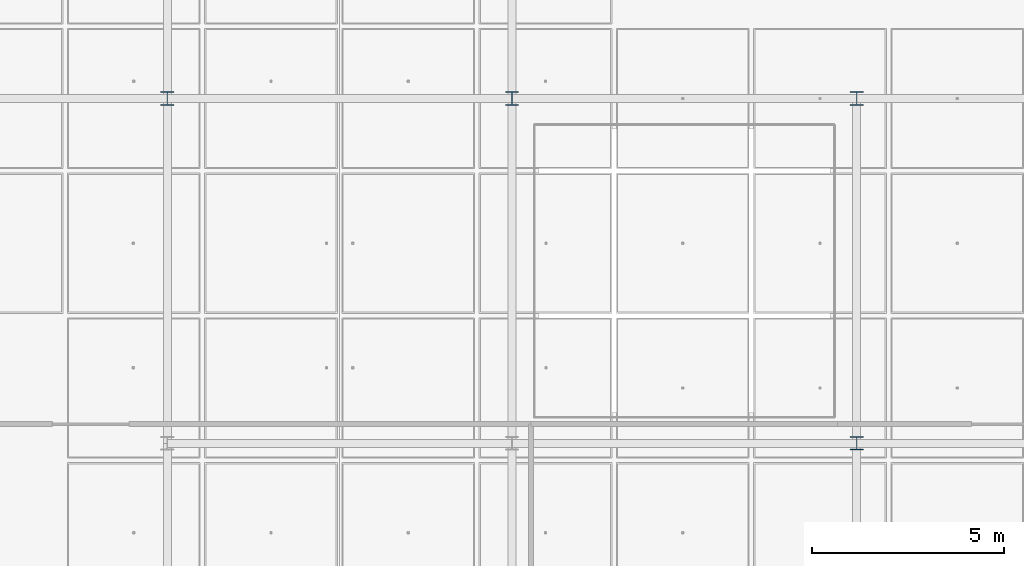
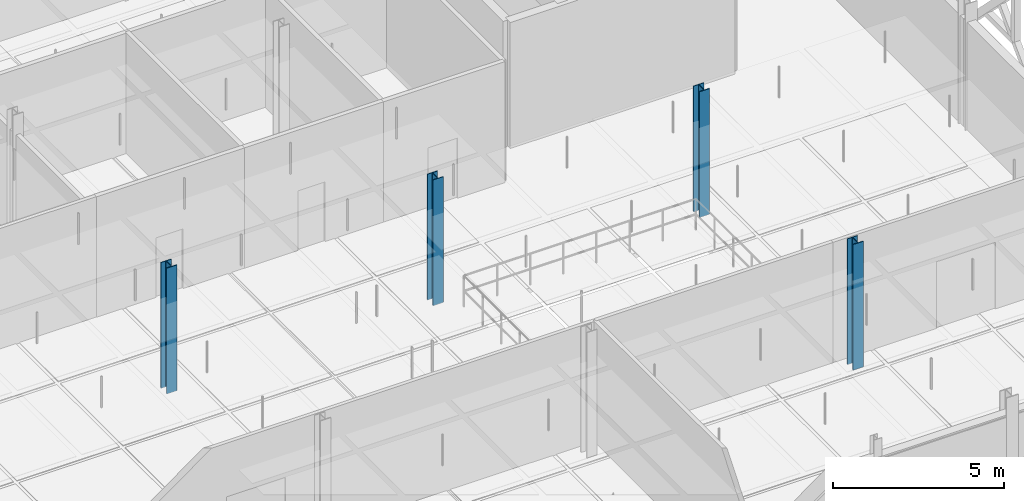
# One storey, part 6 of 140: 4 columns.
"""IFC4 building model written with IfcOpenShell, lengths in metres."""

from ifc_helpers import new_model, si_unit, direction, frame, origin, origin_2d, place, context, subcontext, project, spatial, i_section, extrude, material, material_profile, profile_set, type_object, element, save


model = new_model("IFC4")

# Units and contexts
model_context = context("Model", 3, precision=1e-05, world=origin(), true_north=direction((0.0, 1.0)))
body_context = subcontext(model_context, "Body", "Model", "MODEL_VIEW")
ifc_project = project(units=[si_unit("LENGTHUNIT", "METRE"), si_unit("AREAUNIT", "SQUARE_METRE"), si_unit("VOLUMEUNIT", "CUBIC_METRE"), si_unit("PLANEANGLEUNIT", "RADIAN"), si_unit("MASSUNIT", "GRAM", prefix="KILO"), si_unit("THERMODYNAMICTEMPERATUREUNIT", "KELVIN"), si_unit("POWERUNIT", "WATT")], contexts=[model_context])

# Site, building, storey
site_placement = place(None, origin())
site = spatial("IfcSite", under=ifc_project, at=site_placement, CompositionType="ELEMENT")
building_placement = place(site_placement, origin())
building = spatial("IfcBuilding", under=site, at=building_placement, Name="Tallowbark Science Centre", CompositionType="ELEMENT")
storey_placement = place(building_placement, frame((0.0, 0.0, 9.89990234375)))
storey = spatial("IfcBuildingStorey", under=building, at=storey_placement, Name="L02", CompositionType="ELEMENT", Elevation=9.89990234375)

# Columns
ifc_material = material(Name="Structural Steel Grade 300PLUS (300 MPa)", Category="steel")
ifc_material_profile = material_profile(ifc_material, i_section(OverallWidth=0.35009765625, OverallDepth=0.35888671875, WebThickness=0.01611328125, FlangeThickness=0.02392578125, FilletRadius=0.013916015625, at=origin_2d()), Name="350WC197")
ifc_profile_set = profile_set([ifc_material_profile], Name="Structural Steel Grade 300PLUS (300 MPa)")
column_type = type_object("IfcColumnType", Name="COL-WC350", PredefinedType="COLUMN", material=ifc_profile_set)
for number, where, z_axis, x_axis, name in (
    (1, (76.5, 22.5, 0.0), (0.0, 0.0, 1.0), (1.0, 0.0, 0.0), "Column CUB-M2_2 L02"),
    (2, (85.5, 22.5, 0.0), (0.0, 0.0, 1.0), (1.0, 0.0, 0.0), "Column CUB-M3_2 L02"),
    (3, (94.5, 13.5, 0.0), (0.0, 0.0, 1.0), (1.0, 0.0, 0.0), "Column CUB-M4_1 L02"),
    (4, (94.5, 22.5, 0.0), (0.0, 0.0, 1.0), (1.0, 0.0, 0.0), "Column CUB-M4_2 L02"),
):
    element("IfcColumn", number, at=place(storey_placement, frame(where, z_axis=z_axis, x_axis=x_axis)), inside=storey, type_object=column_type, Name=name, PredefinedType="COLUMN", context=body_context, shape_type="SweptSolid", body=[
        extrude(i_section(OverallWidth=0.35009765625, OverallDepth=0.35888671875, WebThickness=0.01611328125, FlangeThickness=0.02392578125, FilletRadius=0.013916015625, at=origin_2d()), origin(), (0.0, 0.0, 1.0), 4.5),
    ])

save(model, "model.ifc")
